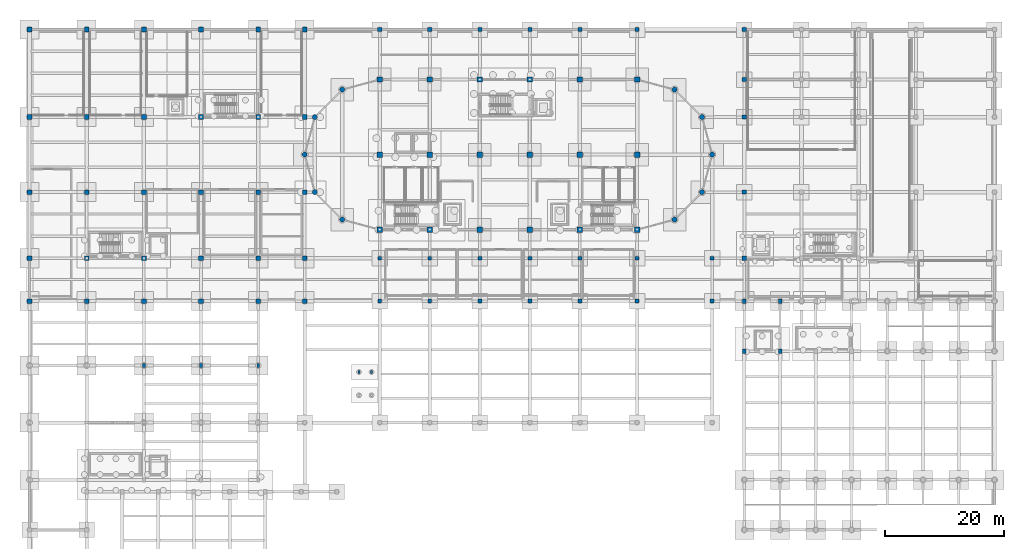
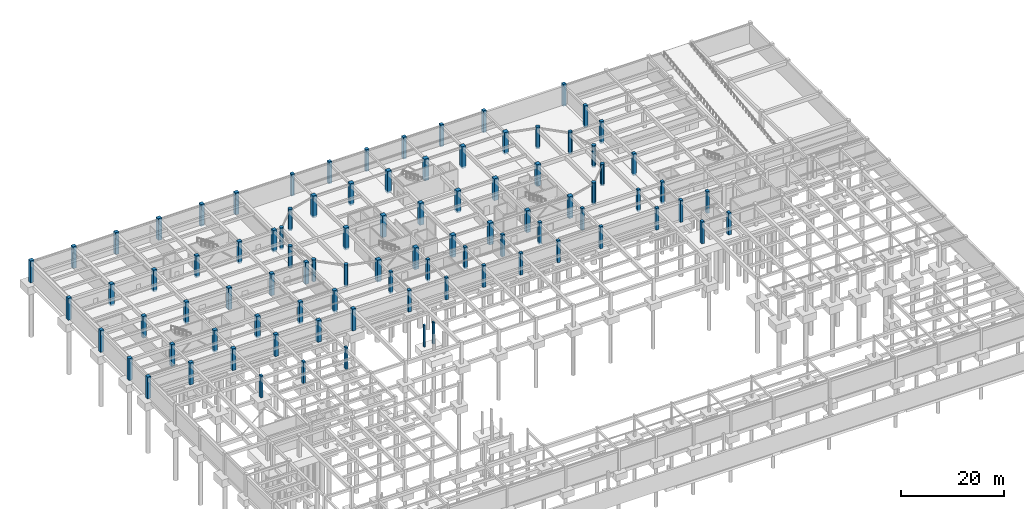
# One storey, part 11 of 37: 92 columns.
"""IFC4 building model written with IfcOpenShell, lengths in metres."""

import ifcopenshell
import ifcopenshell.guid

model = None  # the IFC model being written
_history = None  # IfcOwnerHistory: only IFC2X3 demands one
_inside = {}  # id of a spatial element -> (the spatial element, [elements in it])
_under = {}  # id of a project, library or spatial element -> (it, [spatial elements below it])
_declared = {}  # id of a project -> (the project, [libraries it declares])
_typed = {}  # id of a type object -> (the type object, [elements of that type])
_made_of = {}  # id of a material, layer set ... -> (it, [elements and type objects made of it])


def new_model(schema):
    """Start an empty IFC model of exactly this schema.

    Asked for "IFC4X3", IfcOpenShell would pick the latest addendum, in which some entities
    have other attributes; the version numbers below select the first issue.
    IFC2X3 requires an IfcOwnerHistory on every rooted entity: one is made here for all.
    """
    global model, _history
    if schema == "IFC4X3":
        model = ifcopenshell.file(schema_version=(4, 3, 0, 0))
    else:
        model = ifcopenshell.file(schema=schema)
    _inside.clear()
    _under.clear()
    _declared.clear()
    _typed.clear()
    _made_of.clear()
    _history = None
    if model.schema == "IFC2X3":
        org = make("IfcOrganization", Name="unknown")
        user = make(
            "IfcPersonAndOrganization",
            ThePerson=make("IfcPerson", FamilyName="unknown"),
            TheOrganization=org,
        )
        app = make(
            "IfcApplication",
            ApplicationDeveloper=org,
            Version="unknown",
            ApplicationFullName="unknown",
            ApplicationIdentifier="unknown",
        )
        _history = make(
            "IfcOwnerHistory",
            OwningUser=user,
            OwningApplication=app,
            ChangeAction="ADDED",
            CreationDate=0,
        )
    return model


def make(cls, **values):
    """One entity of the class cls with the attributes given. An attribute that is None is left unset."""
    return model.create_entity(
        cls, **{name: value for name, value in values.items() if value is not None}
    )


def rooted(cls, **values):
    """An entity with a GlobalId (a new one), such as an element, a storey or a relation."""
    return make(cls, GlobalId=ifcopenshell.guid.new(), OwnerHistory=_history, **values)


def si_unit(unit_type, name, prefix=None):
    """IfcSIUnit, for example si_unit("LENGTHUNIT", "METRE", prefix="MILLI")."""
    return make("IfcSIUnit", UnitType=unit_type, Prefix=prefix, Name=name)


def assignment(units):
    """IfcUnitAssignment: the units of a project."""
    return None if units is None else make("IfcUnitAssignment", Units=units)


def point(xyz):
    """IfcCartesianPoint."""
    return None if xyz is None else make("IfcCartesianPoint", Coordinates=xyz)


def direction(xyz):
    """IfcDirection."""
    return None if xyz is None else make("IfcDirection", DirectionRatios=xyz)


def frame(location, z_axis=None, x_axis=None):
    """IfcAxis2Placement3D, a coordinate frame: its origin and axes. An axis left out is left unset."""
    return make(
        "IfcAxis2Placement3D",
        Location=point(location),
        Axis=direction(z_axis),
        RefDirection=direction(x_axis),
    )


def frame_2d(location, x_axis=None):
    """IfcAxis2Placement2D, a coordinate frame in the plane: its origin and x axis."""
    return make(
        "IfcAxis2Placement2D", Location=point(location), RefDirection=direction(x_axis)
    )


def origin():
    """The frame at (0, 0, 0) with its axes left unset."""
    return frame((0.0, 0.0, 0.0))


def origin_2d():
    """The frame at (0, 0) in the plane with its x axis left unset."""
    return frame_2d((0.0, 0.0))


def place(relative_to, where):
    """IfcLocalPlacement: puts the frame where relative to a parent placement (None: the world)."""
    return make(
        "IfcLocalPlacement", PlacementRelTo=relative_to, RelativePlacement=where
    )


def context(
    kind, dimensions, precision=None, world=None, true_north=None, identifier=None
):
    """IfcGeometricRepresentationContext, for example the 3D "Model" context."""
    return make(
        "IfcGeometricRepresentationContext",
        ContextIdentifier=identifier,
        ContextType=kind,
        CoordinateSpaceDimension=dimensions,
        Precision=precision,
        WorldCoordinateSystem=world,
        TrueNorth=true_north,
    )


def subcontext(parent, identifier, kind, view, scale=None):
    """IfcGeometricRepresentationSubContext, for example "Body" below "Model"."""
    return make(
        "IfcGeometricRepresentationSubContext",
        ContextIdentifier=identifier,
        ContextType=kind,
        ParentContext=parent,
        TargetScale=scale,
        TargetView=view,
    )


def project(units=None, contexts=None):
    """IfcProject with its units and contexts."""
    return rooted(
        "IfcProject",
        Name="project",
        RepresentationContexts=contexts,
        UnitsInContext=assignment(units),
    )


def spatial(cls, under=None, at=None, **own):
    """A site, building, storey or space (cls), placed at a placement, below another one or the project."""
    s = rooted(cls, ObjectPlacement=at, **own)
    if under is not None:
        _under.setdefault(under.id(), (under, []))[1].append(s)
    return s


def profile(cls, at=None, kind="AREA", **sizes):
    """A parametric profile (cls). Its sizes go by their IFC names, for example OverallWidth=200.0."""
    return make(cls, ProfileType=kind, Position=at, **sizes)


def rectangle(**sizes):
    """IfcRectangleProfileDef."""
    return profile("IfcRectangleProfileDef", **sizes)


def circle(**sizes):
    """IfcCircleProfileDef."""
    return profile("IfcCircleProfileDef", **sizes)


def extrude(swept, where, along, depth):
    """IfcExtrudedAreaSolid: the profile swept, set in the frame where, extruded along a direction by depth."""
    return make(
        "IfcExtrudedAreaSolid",
        SweptArea=swept,
        Position=where,
        ExtrudedDirection=direction(along),
        Depth=depth,
    )


def shape(context_of_items, identifier, shape_type, items):
    """IfcShapeRepresentation: the items that make up one representation, for example the "Body"."""
    return make(
        "IfcShapeRepresentation",
        ContextOfItems=context_of_items,
        RepresentationIdentifier=identifier,
        RepresentationType=shape_type,
        Items=items,
    )


def material(Name=None, Category=None):
    """IfcMaterial."""
    return make("IfcMaterial", Name=Name, Category=Category)


def material_profile(
    of_material, cross_section, Name=None, Category=None, Priority=None
):
    """IfcMaterialProfile: a cross section and its material."""
    return make(
        "IfcMaterialProfile",
        Name=Name,
        Material=of_material,
        Profile=cross_section,
        Priority=Priority,
        Category=Category,
    )


def profile_set(profiles, Name=None, composite=None):
    """IfcMaterialProfileSet."""
    return make(
        "IfcMaterialProfileSet",
        Name=Name,
        MaterialProfiles=profiles,
        CompositeProfile=composite,
    )


def made_of(thing, what):
    """Note that an element or type object is made of a material, layer set ...; save() writes the relation."""
    if what is not None:
        _made_of.setdefault(what.id(), (what, []))[1].append(thing)
    return thing


def type_object(cls, material=None, **own):
    """A type object (cls), such as IfcWallType, which elements share."""
    return made_of(rooted(cls, **own), material)


def element(
    cls,
    number,
    at=None,
    inside=None,
    cuts=None,
    type_object=None,
    material=None,
    context=None,
    identifier="Body",
    shape_type=None,
    held_by="IfcProductDefinitionShape",
    body=None,
    shapes=None,
    **own,
):
    """One element of the class cls, such as IfcWall. Its Tag is "e" and its number.

    at: its placement. inside: the storey or other place that contains it. cuts: it is an
    opening in that element (IfcRelVoidsElement). A single representation is given by context,
    identifier, shape_type and body (its items); several are given by shapes. held_by: the class
    of the entity that holds the representations. save() writes the other relations.
    """
    e = rooted(cls, Tag="e%d" % number, ObjectPlacement=at, **own)
    if body is not None:
        shapes = [shape(context, identifier, shape_type, body)]
    if shapes is not None:
        e.Representation = make(held_by, Representations=shapes)
    if inside is not None:
        _inside.setdefault(inside.id(), (inside, []))[1].append(e)
    if cuts is not None:
        rooted(
            "IfcRelVoidsElement", RelatingBuildingElement=cuts, RelatedOpeningElement=e
        )
    if type_object is not None:
        _typed.setdefault(type_object.id(), (type_object, []))[1].append(e)
    return made_of(e, material)


def aggregate(whole, parts):
    """IfcRelAggregates: a whole, such as a stair, and the parts it consists of."""
    return rooted("IfcRelAggregates", RelatingObject=whole, RelatedObjects=parts)


def save(model, path):
    """Write the relations noted so far, then the file.

    IfcRelAggregates (storeys below a building ...), IfcRelContainedInSpatialStructure (elements
    in a storey), IfcRelDefinesByType, IfcRelAssociatesMaterial and IfcRelDeclares: one each for
    every whole, place, type object, material and project.
    """
    for whole, parts in _under.values():
        aggregate(whole, parts)
    for where, things in _inside.values():
        rooted(
            "IfcRelContainedInSpatialStructure",
            RelatedElements=things,
            RelatingStructure=where,
        )
    for kind, things in _typed.values():
        rooted("IfcRelDefinesByType", RelatedObjects=things, RelatingType=kind)
    for what, things in _made_of.values():
        rooted("IfcRelAssociatesMaterial", RelatedObjects=things, RelatingMaterial=what)
    for by, libraries in _declared.values():
        rooted("IfcRelDeclares", RelatingContext=by, RelatedDefinitions=libraries)
    model.write(path)


model = new_model("IFC4")

# Units and contexts
model_context = context("Model", 3, precision=1e-05, world=origin(), true_north=direction((0.0, 1.0)))
body_context = subcontext(model_context, "Body", "Model", "MODEL_VIEW")
ifc_project = project(units=[si_unit("LENGTHUNIT", "METRE"), si_unit("AREAUNIT", "SQUARE_METRE"), si_unit("VOLUMEUNIT", "CUBIC_METRE"), si_unit("PLANEANGLEUNIT", "RADIAN"), si_unit("MASSUNIT", "GRAM", prefix="KILO")], contexts=[model_context])

# Site, building, storey
site_placement = place(None, origin())
site = spatial("IfcSite", under=ifc_project, at=site_placement, CompositionType="ELEMENT")
building_placement = place(site_placement, origin())
building = spatial("IfcBuilding", under=site, at=building_placement, Name="Tarnavel Promenade Courthouse", CompositionType="ELEMENT")
storey_placement = place(building_placement, frame((0.0, 0.0, -4.800048828125)))
storey = spatial("IfcBuildingStorey", under=building, at=storey_placement, Name="B01", CompositionType="ELEMENT", Elevation=-4.800048828125)

# Columns
ifc_material = material(Name="Concrete C40/50", Category="concrete")
ifc_material_profile_1 = material_profile(ifc_material, circle(Radius=0.425048828125, at=origin_2d()), Name="RCC D850")
ifc_profile_set_1 = profile_set([ifc_material_profile_1], Name="Concrete C40/50")
column_type_1 = type_object("IfcColumnType", Name="Concrete C40/50 COL-DRUM-D850 (RCC D850)", PredefinedType="COLUMN", material=ifc_profile_set_1)
for number, where, z_axis, x_axis, name in (
    (1, (52.5, 102.7119140625, -0.419921875), (0.0, 0.0, 1.0), (1.0, 0.0, 0.0), "B01 Structural Column 0229"),
    (2, (108.300048828125, 80.88818359375, -0.419921875), (0.0, 0.0, 1.0), (1.0, 0.0, 0.0), "B01 Structural Column 0239"),
    (3, (47.88818359375, 98.10009765625, -0.419921875), (0.0, 0.0, 1.0), (1.0, 0.0, 0.0), "B01 Structural Column 0249"),
    (4, (112.911865234375, 85.5, -0.419921875), (0.0, 0.0, 1.0), (1.0, 0.0, 0.0), "B01 Structural Column 0259"),
    (5, (46.199951171875, 91.800048828125, -0.419921875), (0.0, 0.0, 1.0), (1.0, 0.0, 0.0), "B01 Structural Column 0269"),
    (6, (114.60009765625, 91.800048828125, -0.419921875), (0.0, 0.0, 1.0), (1.0, 0.0, 0.0), "B01 Structural Column 0279"),
    (7, (47.88818359375, 85.5, -0.419921875), (0.0, 0.0, 1.0), (1.0, 0.0, 0.0), "B01 Structural Column 0289"),
    (8, (112.911865234375, 98.10009765625, -0.419921875), (0.0, 0.0, 1.0), (1.0, 0.0, 0.0), "B01 Structural Column 0299"),
    (9, (52.5, 80.88818359375, -0.419921875), (0.0, 0.0, 1.0), (1.0, 0.0, 0.0), "B01 Structural Column 0309"),
    (10, (108.300048828125, 102.7119140625, -0.419921875), (0.0, 0.0, 1.0), (1.0, 0.0, 0.0), "B01 Structural Column 0319"),
):
    element("IfcColumn", number, at=place(storey_placement, frame(where, z_axis=z_axis, x_axis=x_axis)), inside=storey, type_object=column_type_1, Name=name, PredefinedType="COLUMN", context=body_context, shape_type="SweptSolid", body=[
        extrude(circle(Radius=0.425048828125, at=origin_2d()), origin(), (0.0, 0.0, 1.0), 5.219970703125),
    ])
ifc_material_profile_2 = material_profile(ifc_material, rectangle(XDim=0.35009765625, YDim=0.5, at=origin_2d()), Name="RC 350x500")
ifc_profile_set_2 = profile_set([ifc_material_profile_2], Name="Concrete C40/50")
column_type_2 = type_object("IfcColumnType", Name="Concrete C40/50 COL-PIL-350x500 (RC 350x500)", PredefinedType="PILASTER", material=ifc_profile_set_2)
for number, where, z_axis, x_axis, name in (
    (11, (55.330078125, 55.300048828125, -0.419921875), (0.0, 0.0, 1.0), (1.0, 0.0, 0.0), "B01 Structural Column 1147"),
    (12, (57.39990234375, 55.300048828125, -0.419921875), (0.0, 0.0, 1.0), (1.0, 0.0, 0.0), "B01 Structural Column 1149"),
):
    element("IfcColumn", number, at=place(storey_placement, frame(where, z_axis=z_axis, x_axis=x_axis)), inside=storey, type_object=column_type_2, Name=name, PredefinedType="PILASTER", context=body_context, shape_type="SweptSolid", body=[
        extrude(rectangle(XDim=0.35009765625, YDim=0.5, at=origin_2d()), origin(), (0.0, 0.0, 1.0), 5.219970703125),
    ])
ifc_material_profile_3 = material_profile(ifc_material, rectangle(XDim=0.5, YDim=0.699951171875, at=origin_2d()), Name="RC 500x700")
ifc_profile_set_3 = profile_set([ifc_material_profile_3], Name="Concrete C40/50")
column_type_3 = type_object("IfcColumnType", Name="Concrete C40/50 COL-RC500x700 (RC 500x700)", PredefinedType="COLUMN", material=ifc_profile_set_3)
for number, where, z_axis, x_axis, name in (
    (13, (19.199951171875, 56.39990234375, -0.419921875), (0.0, 0.0, 1.0), (1.0, 0.0, 0.0), "B01 Structural Column 0575"),
    (14, (28.800048828125, 56.39990234375, -0.419921875), (0.0, 0.0, 1.0), (1.0, 0.0, 0.0), "B01 Structural Column 0593"),
    (15, (38.39990234375, 56.39990234375, -0.419921875), (0.0, 0.0, 1.0), (1.0, 0.0, 0.0), "B01 Structural Column 0609"),
):
    element("IfcColumn", number, at=place(storey_placement, frame(where, z_axis=z_axis, x_axis=x_axis)), inside=storey, type_object=column_type_3, Name=name, PredefinedType="COLUMN", context=body_context, shape_type="SweptSolid", body=[
        extrude(rectangle(XDim=0.5, YDim=0.699951171875, at=origin_2d()), origin(), (0.0, 0.0, 1.0), 5.219970703125),
    ])
ifc_material_profile_4 = material_profile(ifc_material, rectangle(XDim=0.60009765625, YDim=0.800048828125, at=origin_2d()), Name="RC 600x800")
ifc_profile_set_4 = profile_set([ifc_material_profile_4], Name="Concrete C40/50")
column_type_4 = type_object("IfcColumnType", Name="Concrete C40/50 COL-RC600x800 (RC 600x800)", PredefinedType="COLUMN", material=ifc_profile_set_4)
for number, where, z_axis, x_axis, name in (
    (16, (120.0, 58.800048828125, -0.419921875), (0.0, 0.0, 1.0), (1.0, 0.0, 0.0), "B01 Structural Column 0736"),
    (17, (120.0, 67.199951171875, -0.419921875), (0.0, 0.0, 1.0), (1.0, 0.0, 0.0), "B01 Structural Column 0741"),
    (18, (126.0, 58.800048828125, -0.419921875), (0.0, 0.0, 1.0), (1.0, 0.0, 0.0), "B01 Structural Column 0756"),
    (19, (126.0, 67.199951171875, -0.419921875), (0.0, 0.0, 1.0), (1.0, 0.0, 0.0), "B01 Structural Column 0761"),
):
    element("IfcColumn", number, at=place(storey_placement, frame(where, z_axis=z_axis, x_axis=x_axis)), inside=storey, type_object=column_type_4, Name=name, PredefinedType="COLUMN", context=body_context, shape_type="SweptSolid", body=[
        extrude(rectangle(XDim=0.60009765625, YDim=0.800048828125, at=origin_2d()), origin(), (0.0, 0.0, 1.0), 5.219970703125),
    ])
ifc_material_profile_5 = material_profile(ifc_material, rectangle(XDim=0.64990234375, YDim=0.64990234375, at=origin_2d()), Name="RC 650x650")
ifc_profile_set_5 = profile_set([ifc_material_profile_5], Name="Concrete C40/50")
column_type_5 = type_object("IfcColumnType", Name="Concrete C40/50 COL-RC650-UPP (RC 650x650)", PredefinedType="COLUMN", material=ifc_profile_set_5)
for number, where, z_axis, x_axis, name in (
    (20, (58.800048828125, 67.199951171875, -0.419921875), (0.0, 0.0, 1.0), (1.0, 0.0, 0.0), "B01 Structural Column 1006"),
    (21, (58.800048828125, 74.39990234375, -0.419921875), (0.0, 0.0, 1.0), (1.0, 0.0, 0.0), "B01 Structural Column 1010"),
    (22, (67.199951171875, 67.199951171875, -0.419921875), (0.0, 0.0, 1.0), (1.0, 0.0, 0.0), "B01 Structural Column 1018"),
    (23, (67.199951171875, 74.39990234375, -0.419921875), (0.0, 0.0, 1.0), (1.0, 0.0, 0.0), "B01 Structural Column 1022"),
    (24, (75.60009765625, 67.199951171875, -0.419921875), (0.0, 0.0, 1.0), (1.0, 0.0, 0.0), "B01 Structural Column 1030"),
    (25, (75.60009765625, 74.39990234375, -0.419921875), (0.0, 0.0, 1.0), (1.0, 0.0, 0.0), "B01 Structural Column 1034"),
    (26, (84.0, 67.199951171875, -0.419921875), (0.0, 0.0, 1.0), (1.0, 0.0, 0.0), "B01 Structural Column 1042"),
    (27, (84.0, 74.39990234375, -0.419921875), (0.0, 0.0, 1.0), (1.0, 0.0, 0.0), "B01 Structural Column 1046"),
    (28, (92.39990234375, 67.199951171875, -0.419921875), (0.0, 0.0, 1.0), (1.0, 0.0, 0.0), "B01 Structural Column 1054"),
    (29, (92.39990234375, 74.39990234375, -0.419921875), (0.0, 0.0, 1.0), (1.0, 0.0, 0.0), "B01 Structural Column 1058"),
    (30, (102.0, 67.199951171875, -0.419921875), (0.0, 0.0, 1.0), (1.0, 0.0, 0.0), "B01 Structural Column 1066"),
    (31, (102.0, 74.39990234375, -0.419921875), (0.0, 0.0, 1.0), (1.0, 0.0, 0.0), "B01 Structural Column 1070"),
    (32, (114.60009765625, 67.199951171875, -0.419921875), (0.0, 0.0, 1.0), (1.0, 0.0, 0.0), "B01 Structural Column 1078"),
    (33, (114.60009765625, 74.39990234375, -0.419921875), (0.0, 0.0, 1.0), (1.0, 0.0, 0.0), "B01 Structural Column 1082"),
):
    element("IfcColumn", number, at=place(storey_placement, frame(where, z_axis=z_axis, x_axis=x_axis)), inside=storey, type_object=column_type_5, Name=name, PredefinedType="COLUMN", context=body_context, shape_type="SweptSolid", body=[
        extrude(rectangle(XDim=0.64990234375, YDim=0.64990234375, at=origin_2d()), origin(), (0.0, 0.0, 1.0), 5.219970703125),
    ])
ifc_material_profile_6 = material_profile(ifc_material, rectangle(XDim=0.699951171875, YDim=0.699951171875, at=origin_2d()), Name="RC 700x700")
ifc_profile_set_6 = profile_set([ifc_material_profile_6], Name="Concrete C40/50")
column_type_6 = type_object("IfcColumnType", Name="Concrete C40/50 COL-RC700-MID (RC 700x700)", PredefinedType="COLUMN", material=ifc_profile_set_6)
for number, where, z_axis, x_axis, name in (
    (34, (58.800048828125, 112.800048828125, -0.419921875), (0.0, 0.0, 1.0), (1.0, 0.0, 0.0), "B01 Structural Column 0031"),
    (35, (67.199951171875, 112.800048828125, -0.419921875), (0.0, 0.0, 1.0), (1.0, 0.0, 0.0), "B01 Structural Column 0073"),
    (36, (75.60009765625, 112.800048828125, -0.419921875), (0.0, 0.0, 1.0), (1.0, 0.0, 0.0), "B01 Structural Column 0111"),
    (37, (84.0, 112.800048828125, -0.419921875), (0.0, 0.0, 1.0), (1.0, 0.0, 0.0), "B01 Structural Column 0149"),
    (38, (92.39990234375, 112.800048828125, -0.419921875), (0.0, 0.0, 1.0), (1.0, 0.0, 0.0), "B01 Structural Column 0191"),
    (39, (102.0, 112.800048828125, -0.419921875), (0.0, 0.0, 1.0), (1.0, 0.0, 0.0), "B01 Structural Column 0225"),
    (40, (120.0, 74.39990234375, -0.419921875), (0.0, 0.0, 1.0), (1.0, 0.0, 0.0), "B01 Structural Column 0886"),
    (41, (120.0, 85.5, -0.419921875), (0.0, 0.0, 1.0), (1.0, 0.0, 0.0), "B01 Structural Column 0890"),
    (42, (120.0, 98.10009765625, -0.419921875), (0.0, 0.0, 1.0), (1.0, 0.0, 0.0), "B01 Structural Column 0894"),
    (43, (120.0, 104.39990234375, -0.419921875), (0.0, 0.0, 1.0), (1.0, 0.0, 0.0), "B01 Structural Column 0898"),
    (44, (120.0, 112.800048828125, -0.419921875), (0.0, 0.0, 1.0), (1.0, 0.0, 0.0), "B01 Structural Column 0902"),
):
    element("IfcColumn", number, at=place(storey_placement, frame(where, z_axis=z_axis, x_axis=x_axis)), inside=storey, type_object=column_type_6, Name=name, PredefinedType="COLUMN", context=body_context, shape_type="SweptSolid", body=[
        extrude(rectangle(XDim=0.699951171875, YDim=0.699951171875, at=origin_2d()), origin(), (0.0, 0.0, 1.0), 5.219970703125),
    ])
ifc_material_profile_7 = material_profile(ifc_material, rectangle(XDim=0.800048828125, YDim=0.800048828125, at=origin_2d()), Name="RC 800x800")
ifc_profile_set_7 = profile_set([ifc_material_profile_7], Name="Concrete C40/50")
column_type_7 = type_object("IfcColumnType", Name="Concrete C40/50 COL-RC800-LOW (RC 800x800)", PredefinedType="COLUMN", material=ifc_profile_set_7)
for number, where, z_axis, x_axis, name in (
    (45, (0.0, 67.199951171875, -0.419921875), (0.0, 0.0, 1.0), (1.0, 0.0, 0.0), "B01 Structural Column 0329"),
    (46, (0.0, 74.39990234375, -0.419921875), (0.0, 0.0, 1.0), (1.0, 0.0, 0.0), "B01 Structural Column 0335"),
    (47, (0.0, 85.5, -0.419921875), (0.0, 0.0, 1.0), (1.0, 0.0, 0.0), "B01 Structural Column 0342"),
    (48, (0.0, 98.10009765625, -0.419921875), (0.0, 0.0, 1.0), (1.0, 0.0, 0.0), "B01 Structural Column 0349"),
    (49, (0.0, 112.800048828125, -0.419921875), (0.0, 0.0, 1.0), (1.0, 0.0, 0.0), "B01 Structural Column 0356"),
    (50, (9.60009765625, 67.199951171875, -0.419921875), (0.0, 0.0, 1.0), (1.0, 0.0, 0.0), "B01 Structural Column 0363"),
    (51, (9.60009765625, 74.39990234375, -0.419921875), (0.0, 0.0, 1.0), (1.0, 0.0, 0.0), "B01 Structural Column 0369"),
    (52, (9.60009765625, 85.5, -0.419921875), (0.0, 0.0, 1.0), (1.0, 0.0, 0.0), "B01 Structural Column 0376"),
    (53, (9.60009765625, 98.10009765625, -0.419921875), (0.0, 0.0, 1.0), (1.0, 0.0, 0.0), "B01 Structural Column 0383"),
    (54, (9.60009765625, 112.800048828125, -0.419921875), (0.0, 0.0, 1.0), (1.0, 0.0, 0.0), "B01 Structural Column 0390"),
    (55, (19.199951171875, 67.199951171875, -0.419921875), (0.0, 0.0, 1.0), (1.0, 0.0, 0.0), "B01 Structural Column 0397"),
    (56, (19.199951171875, 74.39990234375, -0.419921875), (0.0, 0.0, 1.0), (1.0, 0.0, 0.0), "B01 Structural Column 0403"),
    (57, (19.199951171875, 85.5, -0.419921875), (0.0, 0.0, 1.0), (1.0, 0.0, 0.0), "B01 Structural Column 0410"),
    (58, (19.199951171875, 98.10009765625, -0.419921875), (0.0, 0.0, 1.0), (1.0, 0.0, 0.0), "B01 Structural Column 0417"),
    (59, (19.199951171875, 112.800048828125, -0.419921875), (0.0, 0.0, 1.0), (1.0, 0.0, 0.0), "B01 Structural Column 0424"),
    (60, (28.800048828125, 67.199951171875, -0.419921875), (0.0, 0.0, 1.0), (1.0, 0.0, 0.0), "B01 Structural Column 0431"),
    (61, (28.800048828125, 74.39990234375, -0.419921875), (0.0, 0.0, 1.0), (1.0, 0.0, 0.0), "B01 Structural Column 0437"),
    (62, (28.800048828125, 85.5, -0.419921875), (0.0, 0.0, 1.0), (1.0, 0.0, 0.0), "B01 Structural Column 0444"),
    (63, (28.800048828125, 98.10009765625, -0.419921875), (0.0, 0.0, 1.0), (1.0, 0.0, 0.0), "B01 Structural Column 0451"),
    (64, (28.800048828125, 112.800048828125, -0.419921875), (0.0, 0.0, 1.0), (1.0, 0.0, 0.0), "B01 Structural Column 0458"),
    (65, (38.39990234375, 67.199951171875, -0.419921875), (0.0, 0.0, 1.0), (1.0, 0.0, 0.0), "B01 Structural Column 0465"),
    (66, (38.39990234375, 74.39990234375, -0.419921875), (0.0, 0.0, 1.0), (1.0, 0.0, 0.0), "B01 Structural Column 0471"),
    (67, (38.39990234375, 85.5, -0.419921875), (0.0, 0.0, 1.0), (1.0, 0.0, 0.0), "B01 Structural Column 0478"),
    (68, (38.39990234375, 98.10009765625, -0.419921875), (0.0, 0.0, 1.0), (1.0, 0.0, 0.0), "B01 Structural Column 0485"),
    (69, (38.39990234375, 112.800048828125, -0.419921875), (0.0, 0.0, 1.0), (1.0, 0.0, 0.0), "B01 Structural Column 0492"),
    (70, (46.199951171875, 67.199951171875, -0.419921875), (0.0, 0.0, 1.0), (1.0, 0.0, 0.0), "B01 Structural Column 0499"),
    (71, (46.199951171875, 74.39990234375, -0.419921875), (0.0, 0.0, 1.0), (1.0, 0.0, 0.0), "B01 Structural Column 0505"),
    (72, (46.199951171875, 85.5, -0.419921875), (0.0, 0.0, 1.0), (1.0, 0.0, 0.0), "B01 Structural Column 0512"),
    (73, (46.199951171875, 98.10009765625, -0.419921875), (0.0, 0.0, 1.0), (1.0, 0.0, 0.0), "B01 Structural Column 0519"),
    (74, (46.199951171875, 112.800048828125, -0.419921875), (0.0, 0.0, 1.0), (1.0, 0.0, 0.0), "B01 Structural Column 0526"),
):
    element("IfcColumn", number, at=place(storey_placement, frame(where, z_axis=z_axis, x_axis=x_axis)), inside=storey, type_object=column_type_7, Name=name, PredefinedType="COLUMN", context=body_context, shape_type="SweptSolid", body=[
        extrude(rectangle(XDim=0.800048828125, YDim=0.800048828125, at=origin_2d()), origin(), (0.0, 0.0, 1.0), 5.219970703125),
    ])
ifc_material_profile_8 = material_profile(ifc_material, rectangle(XDim=0.89990234375, YDim=0.89990234375, at=origin_2d()), Name="RC 900x900")
ifc_profile_set_8 = profile_set([ifc_material_profile_8], Name="Concrete C40/50")
column_type_8 = type_object("IfcColumnType", Name="Concrete C40/50 COL-RC900-B01 (RC 900x900)", PredefinedType="COLUMN", material=ifc_profile_set_8)
for number, where, z_axis, x_axis, name in (
    (75, (58.800048828125, 79.199951171875, -0.419921875), (0.0, 0.0, 1.0), (1.0, 0.0, 0.0), "B01 Structural Column 0001"),
    (76, (58.800048828125, 91.800048828125, -0.419921875), (0.0, 0.0, 1.0), (1.0, 0.0, 0.0), "B01 Structural Column 0011"),
    (77, (58.800048828125, 104.39990234375, -0.419921875), (0.0, 0.0, 1.0), (1.0, 0.0, 0.0), "B01 Structural Column 0021"),
    (78, (67.199951171875, 79.199951171875, -0.419921875), (0.0, 0.0, 1.0), (1.0, 0.0, 0.0), "B01 Structural Column 0035"),
    (79, (67.199951171875, 91.800048828125, -0.419921875), (0.0, 0.0, 1.0), (1.0, 0.0, 0.0), "B01 Structural Column 0045"),
    (80, (67.199951171875, 104.39990234375, -0.419921875), (0.0, 0.0, 1.0), (1.0, 0.0, 0.0), "B01 Structural Column 0055"),
    (81, (75.60009765625, 79.199951171875, -0.419921875), (0.0, 0.0, 1.0), (1.0, 0.0, 0.0), "B01 Structural Column 0077"),
    (82, (75.60009765625, 91.800048828125, -0.419921875), (0.0, 0.0, 1.0), (1.0, 0.0, 0.0), "B01 Structural Column 0087"),
    (83, (75.60009765625, 104.39990234375, -0.419921875), (0.0, 0.0, 1.0), (1.0, 0.0, 0.0), "B01 Structural Column 0097"),
    (84, (84.0, 79.199951171875, -0.419921875), (0.0, 0.0, 1.0), (1.0, 0.0, 0.0), "B01 Structural Column 0115"),
    (85, (84.0, 91.800048828125, -0.419921875), (0.0, 0.0, 1.0), (1.0, 0.0, 0.0), "B01 Structural Column 0125"),
    (86, (84.0, 104.39990234375, -0.419921875), (0.0, 0.0, 1.0), (1.0, 0.0, 0.0), "B01 Structural Column 0135"),
    (87, (92.39990234375, 79.199951171875, -0.419921875), (0.0, 0.0, 1.0), (1.0, 0.0, 0.0), "B01 Structural Column 0153"),
    (88, (92.39990234375, 91.800048828125, -0.419921875), (0.0, 0.0, 1.0), (1.0, 0.0, 0.0), "B01 Structural Column 0163"),
    (89, (92.39990234375, 104.39990234375, -0.419921875), (0.0, 0.0, 1.0), (1.0, 0.0, 0.0), "B01 Structural Column 0173"),
    (90, (102.0, 79.199951171875, -0.419921875), (0.0, 0.0, 1.0), (1.0, 0.0, 0.0), "B01 Structural Column 0195"),
    (91, (102.0, 91.800048828125, -0.419921875), (0.0, 0.0, 1.0), (1.0, 0.0, 0.0), "B01 Structural Column 0205"),
    (92, (102.0, 104.39990234375, -0.419921875), (0.0, 0.0, 1.0), (1.0, 0.0, 0.0), "B01 Structural Column 0215"),
):
    element("IfcColumn", number, at=place(storey_placement, frame(where, z_axis=z_axis, x_axis=x_axis)), inside=storey, type_object=column_type_8, Name=name, PredefinedType="COLUMN", context=body_context, shape_type="SweptSolid", body=[
        extrude(rectangle(XDim=0.89990234375, YDim=0.89990234375, at=origin_2d()), origin(), (0.0, 0.0, 1.0), 5.219970703125),
    ])

save(model, "model.ifc")
